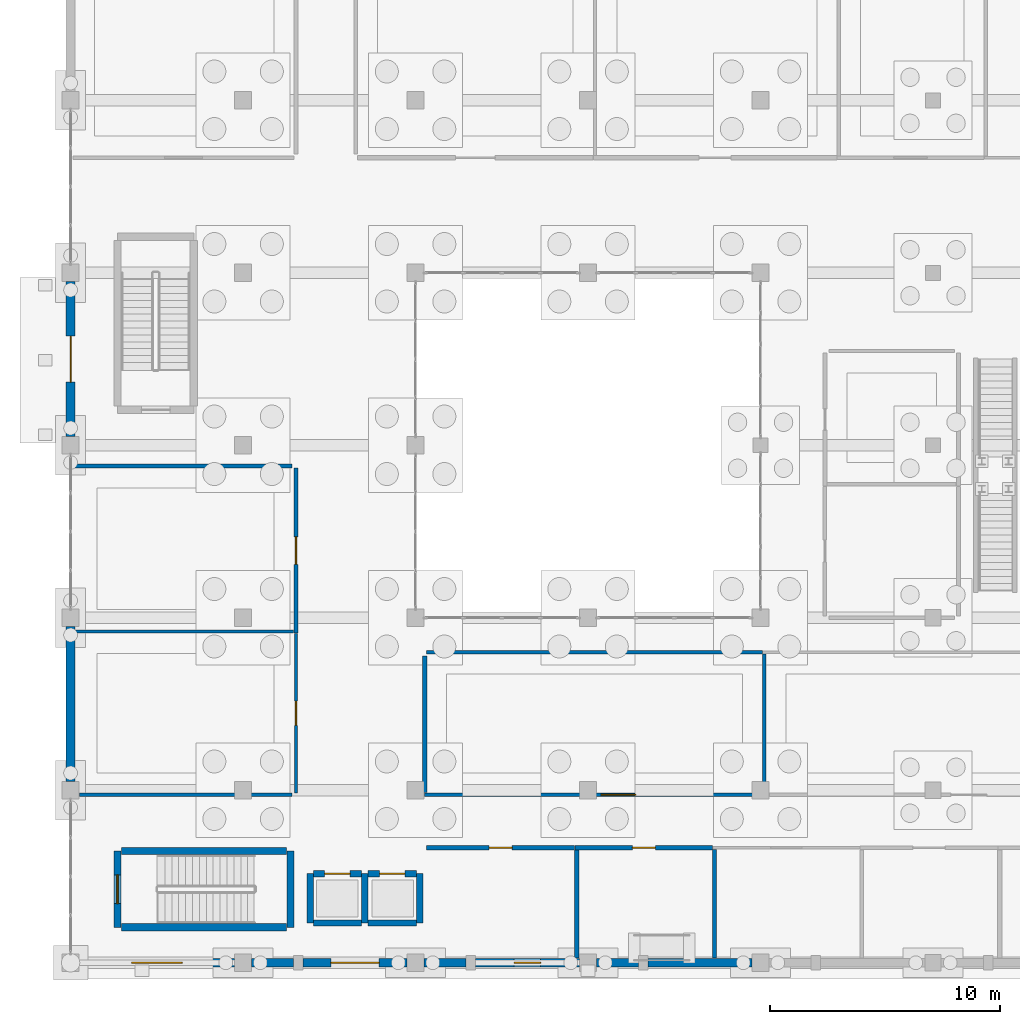
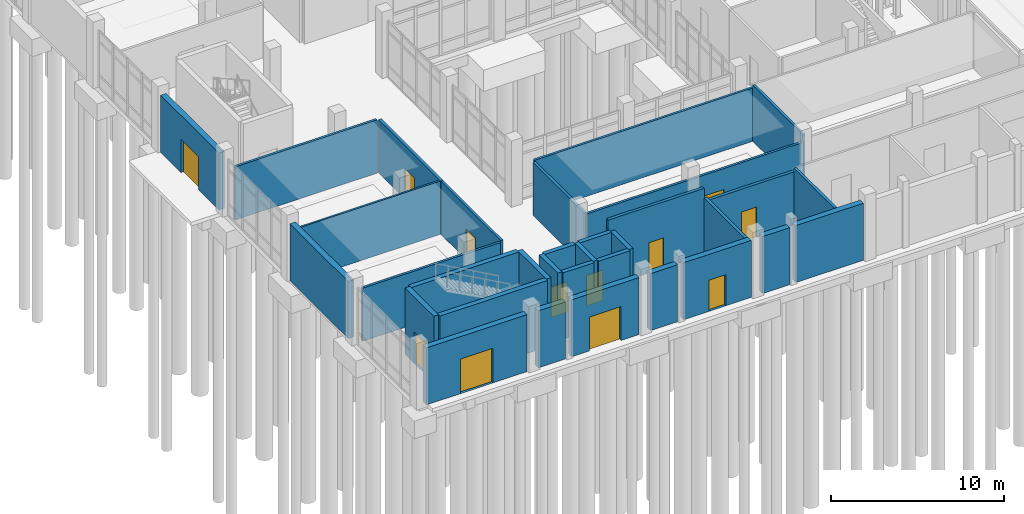
# One storey, part 147 of 173: 33 walls, 12 doors, 12 openings.
"""IFC4 building model written with IfcOpenShell, lengths in metres."""

from ifc_helpers import new_model, si_unit, direction, frame, frame_2d, origin, place, context, subcontext, project, spatial, rectangle, extrude, material, layer, layer_set, type_object, element, fill, save


model = new_model("IFC4")

# Units and contexts
model_context = context("Model", 3, precision=1e-05, world=origin(), true_north=direction((0.0, 1.0)))
body_context = subcontext(model_context, "Body", "Model", "MODEL_VIEW")
ifc_project = project(units=[si_unit("LENGTHUNIT", "METRE"), si_unit("AREAUNIT", "SQUARE_METRE"), si_unit("VOLUMEUNIT", "CUBIC_METRE"), si_unit("PLANEANGLEUNIT", "RADIAN"), si_unit("MASSUNIT", "GRAM", prefix="KILO")], contexts=[model_context])

# Site, building, storey
site_placement = place(None, origin())
site = spatial("IfcSite", under=ifc_project, at=site_placement, CompositionType="ELEMENT")
building_placement = place(site_placement, origin())
building = spatial("IfcBuilding", under=site, at=building_placement, Name="Mawjan Specialist Oncology Clinic", CompositionType="ELEMENT")
storey_placement = place(building_placement, origin())
storey = spatial("IfcBuildingStorey", under=building, at=storey_placement, Name="L00", CompositionType="ELEMENT", Elevation=0.0)

# Walls
ifc_material_1 = material(Name="Precast concrete C40/50", Category="concrete")
ifc_layer_1 = layer(ifc_material_1, 0.3798828125, Name="Precast concrete C40/50", Category="concrete")
ifc_layer_set_1 = layer_set([ifc_layer_1], Name="Precast concrete C40/50")
wall_type_1 = type_object("IfcWallType", Name="EW-380", PredefinedType="SOLIDWALL", material=ifc_layer_set_1)
wall_1_placement = place(storey_placement, frame((29.625, 0.800048828125, 0.0), z_axis=(0.0, 0.0, 1.0), x_axis=(-1.0, 0.0, 0.0)))
element("IfcWall", 1, at=wall_1_placement, inside=storey, type_object=wall_type_1, Name="L00 Coral-Limestone Exterior Wall EW-L00-005", PredefinedType="SOLIDWALL", context=body_context, shape_type="SweptSolid", body=[
    extrude(rectangle(XDim=4.52490234375, YDim=0.3798828125, at=frame_2d((2.262451171875, 0.0))), origin(), (0.0, 0.0, 1.0), 4.034912109375),
])
wall_2_placement = place(storey_placement, frame((24.699951171875, 0.800048828125, 0.0), z_axis=(0.0, 0.0, 1.0), x_axis=(-1.0, 0.0, 0.0)))
element("IfcWall", 2, at=wall_2_placement, inside=storey, type_object=wall_type_1, Name="L00 Coral-Limestone Exterior Wall EW-L00-006", PredefinedType="SOLIDWALL", context=body_context, shape_type="SweptSolid", body=[
    extrude(rectangle(XDim=1.824951171875, YDim=0.3798828125, at=frame_2d((0.91259765625, 0.0))), origin(), (0.0, 0.0, 1.0), 4.034912109375),
])

# Wall, opening, door
wall_3_placement = place(storey_placement, frame((22.125, 0.800048828125, 0.0), z_axis=(0.0, 0.0, 1.0), x_axis=(-1.0, 0.0, 0.0)))
wall_3 = element("IfcWall", 3, at=wall_3_placement, inside=storey, type_object=wall_type_1, Name="L00 Coral-Limestone Exterior Wall EW-L00-007", PredefinedType="SOLIDWALL", context=body_context, shape_type="SweptSolid", body=[
    extrude(rectangle(XDim=4.52490234375, YDim=0.3798828125, at=frame_2d((2.262451171875, 0.0))), origin(), (0.0, 0.0, 1.0), 4.034912109375),
])
opening_1_placement = place(wall_3_placement, frame((1.6875, 0.0, 0.0)))
opening_1 = element("IfcOpeningElement", 4, at=opening_1_placement, cuts=wall_3, Name="Opening DF-EXT", PredefinedType="OPENING", context=body_context, shape_type="SweptSolid", body=[
    extrude(rectangle(XDim=1.14990234375, YDim=2.199951171875, at=frame_2d((0.574951171875, 1.10009765625))), frame((0.0, 0.201904296875, 0.0), z_axis=(0.0, -1.0, 0.0), x_axis=(1.0, 0.0, 0.0)), (0.0, 0.0, 1.0), 0.40380859375),
])
ifc_material_2 = material(Name="Insulated marine-grade aluminium entrance assembly", Category="aluminium")
door_type_1 = type_object("IfcDoorType", Name="DF-EXT", OperationType="NOTDEFINED", PredefinedType="DOOR", material=ifc_material_2)
door_1_placement = place(opening_1_placement, origin())
door_1 = element("IfcDoor", 5, at=door_1_placement, inside=storey, type_object=door_type_1, Name="Fire Command Center Exterior Access Door", OperationType="SINGLE_SWING_RIGHT", OverallHeight=2.199951171875, OverallWidth=1.14990234375, PredefinedType="DOOR", context=body_context, shape_type="SweptSolid", body=[
    extrude(rectangle(XDim=1.14990234375, YDim=2.199951171875, at=frame_2d((0.574951171875, 1.10009765625))), frame((0.0, 0.02490234375, 0.0), z_axis=(0.0, -1.0, 0.0), x_axis=(1.0, 0.0, 0.0)), (0.0, 0.0, 1.0), 0.050048828125),
])
fill(opening_1, door_1)

# Wall
wall_4_placement = place(storey_placement, frame((17.199951171875, 0.800048828125, 0.0), z_axis=(0.0, 0.0, 1.0), x_axis=(-1.0, 0.0, 0.0)))
element("IfcWall", 6, at=wall_4_placement, inside=storey, type_object=wall_type_1, Name="L00 Coral-Limestone Exterior Wall EW-L00-008", PredefinedType="SOLIDWALL", context=body_context, shape_type="SweptSolid", body=[
    extrude(rectangle(XDim=1.824951171875, YDim=0.3798828125, at=frame_2d((0.91259765625, 0.0))), origin(), (0.0, 0.0, 1.0), 4.034912109375),
])

# Wall, opening, door
wall_5_placement = place(storey_placement, frame((14.625, 0.800048828125, 0.0), z_axis=(0.0, 0.0, 1.0), x_axis=(-1.0, 0.0, 0.0)))
wall_5 = element("IfcWall", 7, at=wall_5_placement, inside=storey, type_object=wall_type_1, Name="L00 Coral-Limestone Exterior Wall EW-L00-009", PredefinedType="SOLIDWALL", context=body_context, shape_type="SweptSolid", body=[
    extrude(rectangle(XDim=4.52490234375, YDim=0.3798828125, at=frame_2d((2.262451171875, 0.0))), origin(), (0.0, 0.0, 1.0), 4.034912109375),
])
opening_2_placement = place(wall_5_placement, frame((1.21240234375, 0.0, 0.0)))
opening_2 = element("IfcOpeningElement", 8, at=opening_2_placement, cuts=wall_5, Name="Opening DE-210", PredefinedType="OPENING", context=body_context, shape_type="SweptSolid", body=[
    extrude(rectangle(XDim=2.10009765625, YDim=2.39990234375, at=frame_2d((1.050048828125, 1.199951171875))), frame((0.0, 0.201904296875, 0.0), z_axis=(0.0, -1.0, 0.0), x_axis=(1.0, 0.0, 0.0)), (0.0, 0.0, 1.0), 0.40380859375),
])
ifc_material_3 = material(Name="Insulated marine-grade aluminium entrance assembly", Category="aluminium")
door_type_2 = type_object("IfcDoorType", Name="DE-210", OperationType="DOUBLE_DOOR_SINGLE_SWING", PredefinedType="DOOR", material=ifc_material_3)
door_2_placement = place(opening_2_placement, origin())
door_2 = element("IfcDoor", 9, at=door_2_placement, inside=storey, type_object=door_type_2, Name="Main Pedestrian Final Exit Door E-02", OperationType="DOUBLE_DOOR_SINGLE_SWING", OverallHeight=2.39990234375, OverallWidth=2.10009765625, PredefinedType="DOOR", context=body_context, shape_type="SweptSolid", body=[
    extrude(rectangle(XDim=2.10009765625, YDim=2.39990234375, at=frame_2d((1.050048828125, 1.199951171875))), frame((0.0, 0.02490234375, 0.0), z_axis=(0.0, -1.0, 0.0), x_axis=(1.0, 0.0, 0.0)), (0.0, 0.0, 1.0), 0.050048828125),
])
fill(opening_2, door_2)

# Wall
wall_6_placement = place(storey_placement, frame((9.699951171875, 0.800048828125, 0.0), z_axis=(0.0, 0.0, 1.0), x_axis=(-1.0, 0.0, 0.0)))
element("IfcWall", 10, at=wall_6_placement, inside=storey, type_object=wall_type_1, Name="L00 Coral-Limestone Exterior Wall EW-L00-010", PredefinedType="SOLIDWALL", context=body_context, shape_type="SweptSolid", body=[
    extrude(rectangle(XDim=1.824951171875, YDim=0.3798828125, at=frame_2d((0.91259765625, 0.0))), origin(), (0.0, 0.0, 1.0), 4.034912109375),
])

# Wall, opening, door
wall_7_placement = place(storey_placement, frame((7.125, 0.800048828125, 0.0), z_axis=(0.0, 0.0, 1.0), x_axis=(-1.0, 0.0, 0.0)))
wall_7 = element("IfcWall", 11, at=wall_7_placement, inside=storey, type_object=wall_type_1, Name="L00 Coral-Limestone Exterior Wall EW-L00-011", PredefinedType="SOLIDWALL", context=body_context, shape_type="SweptSolid", body=[
    extrude(rectangle(XDim=6.75, YDim=0.3798828125, at=frame_2d((3.375, 0.0))), origin(), (0.0, 0.0, 1.0), 4.034912109375),
])
opening_3_placement = place(wall_7_placement, frame((2.27490234375, 0.0, 0.0)))
opening_3 = element("IfcOpeningElement", 12, at=opening_3_placement, cuts=wall_7, Name="Opening DE-220", PredefinedType="OPENING", context=body_context, shape_type="SweptSolid", body=[
    extrude(rectangle(XDim=2.199951171875, YDim=2.449951171875, at=frame_2d((1.10009765625, 1.22509765625))), frame((0.0, 0.201904296875, 0.0), z_axis=(0.0, -1.0, 0.0), x_axis=(1.0, 0.0, 0.0)), (0.0, 0.0, 1.0), 0.40380859375),
])
ifc_material_4 = material(Name="Insulated marine-grade aluminium entrance assembly", Category="aluminium")
door_type_3 = type_object("IfcDoorType", Name="DE-220", OperationType="DOUBLE_DOOR_SINGLE_SWING", PredefinedType="DOOR", material=ifc_material_4)
door_3_placement = place(opening_3_placement, origin())
door_3 = element("IfcDoor", 13, at=door_3_placement, inside=storey, type_object=door_type_3, Name="Main Pedestrian Final Exit Door E-03", OperationType="DOUBLE_DOOR_SINGLE_SWING", OverallHeight=2.449951171875, OverallWidth=2.199951171875, PredefinedType="DOOR", context=body_context, shape_type="SweptSolid", body=[
    extrude(rectangle(XDim=2.199951171875, YDim=2.449951171875, at=frame_2d((1.10009765625, 1.22509765625))), frame((0.0, 0.02490234375, 0.0), z_axis=(0.0, -1.0, 0.0), x_axis=(1.0, 0.0, 0.0)), (0.0, 0.0, 1.0), 0.050048828125),
])
fill(opening_3, door_3)

# Wall
wall_8_placement = place(storey_placement, frame((0.0, 8.675048828125, 0.0), z_axis=(0.0, 0.0, 1.0), x_axis=(0.0, 1.0, 0.0)))
element("IfcWall", 14, at=wall_8_placement, inside=storey, type_object=wall_type_1, Name="L00 Coral-Limestone Exterior Wall EW-L00-012", PredefinedType="SOLIDWALL", context=body_context, shape_type="SweptSolid", body=[
    extrude(rectangle(XDim=6.75, YDim=0.3798828125, at=frame_2d((3.375, 0.0))), origin(), (0.0, 0.0, 1.0), 4.034912109375),
])

# Wall, opening, door
wall_9_placement = place(storey_placement, frame((0.0, 23.675048828125, 0.0), z_axis=(0.0, 0.0, 1.0), x_axis=(0.0, 1.0, 0.0)))
wall_9 = element("IfcWall", 15, at=wall_9_placement, inside=storey, type_object=wall_type_1, Name="L00 Coral-Limestone Exterior Wall EW-L00-013", PredefinedType="SOLIDWALL", context=body_context, shape_type="SweptSolid", body=[
    extrude(rectangle(XDim=6.75, YDim=0.3798828125, at=frame_2d((3.375, 0.0))), origin(), (0.0, 0.0, 1.0), 4.034912109375),
])
opening_4_placement = place(wall_9_placement, frame((2.375, 0.0, 0.0)))
opening_4 = element("IfcOpeningElement", 16, at=opening_4_placement, cuts=wall_9, Name="Opening DE-200", PredefinedType="OPENING", context=body_context, shape_type="SweptSolid", body=[
    extrude(rectangle(XDim=2.0, YDim=2.35009765625, at=frame_2d((1.0, 1.175048828125))), frame((0.0, 0.201904296875, 0.0), z_axis=(0.0, -1.0, 0.0), x_axis=(1.0, 0.0, 0.0)), (0.0, 0.0, 1.0), 0.40380859375),
])
ifc_material_5 = material(Name="Insulated marine-grade aluminium entrance assembly", Category="aluminium")
door_type_4 = type_object("IfcDoorType", Name="DE-200", OperationType="DOUBLE_DOOR_SINGLE_SWING", PredefinedType="DOOR", material=ifc_material_5)
door_4_placement = place(opening_4_placement, origin())
door_4 = element("IfcDoor", 17, at=door_4_placement, inside=storey, type_object=door_type_4, Name="Exit Stair ST-02 Final Exterior Discharge Door", OperationType="DOUBLE_DOOR_SINGLE_SWING", OverallHeight=2.35009765625, OverallWidth=2.0, PredefinedType="DOOR", context=body_context, shape_type="SweptSolid", body=[
    extrude(rectangle(XDim=2.0, YDim=2.35009765625, at=frame_2d((1.0, 1.175048828125))), frame((0.0, 0.02490234375, 0.0), z_axis=(0.0, -1.0, 0.0), x_axis=(1.0, 0.0, 0.0)), (0.0, 0.0, 1.0), 0.050048828125),
])
fill(opening_4, door_4)

# Walls
ifc_material_6 = material(Name="Concrete C45/55", Category="concrete")
ifc_layer_2 = layer(ifc_material_6, 0.280029296875, Name="Concrete C45/55", Category="concrete")
ifc_layer_set_2 = layer_set([ifc_layer_2], Name="Concrete C45/55")
wall_type_2 = type_object("IfcWallType", Name="SW-300", PredefinedType="SHEAR", material=ifc_layer_set_2)
wall_10_placement = place(storey_placement, frame((10.5615234375, 2.529296875, 0.0), z_axis=(0.0, 0.0, 1.0), x_axis=(1.0, 0.0, 0.0)))
element("IfcWall", 18, at=wall_10_placement, inside=storey, type_object=wall_type_2, Name="L00 LF-03 Hoistway Wall 1", PredefinedType="SHEAR", context=body_context, shape_type="SweptSolid", body=[
    extrude(rectangle(XDim=2.076904296875, YDim=0.280029296875, at=frame_2d((1.03857421875, 0.0))), origin(), (0.0, 0.0, 1.0), 4.699951171875),
])
wall_11_placement = place(storey_placement, frame((12.783447265625, 2.529296875, 0.0), z_axis=(0.0, 0.0, 1.0), x_axis=(0.0, 1.0, 0.0)))
element("IfcWall", 19, at=wall_11_placement, inside=storey, type_object=wall_type_2, Name="L00 LF-03 Hoistway Wall 2", PredefinedType="SHEAR", context=body_context, shape_type="SweptSolid", body=[
    extrude(rectangle(XDim=2.141357421875, YDim=0.280029296875, at=frame_2d((1.07080078125, 0.0))), origin(), (0.0, 0.0, 1.0), 4.699951171875),
])

# Wall, opening, door
wall_12_placement = place(storey_placement, frame((12.638427734375, 4.670654296875, 0.0), z_axis=(0.0, 0.0, 1.0), x_axis=(-1.0, 0.0, 0.0)))
wall_12 = element("IfcWall", 20, at=wall_12_placement, inside=storey, type_object=wall_type_2, Name="L00 LF-03 Hoistway Wall 3", PredefinedType="SHEAR", context=body_context, shape_type="SweptSolid", body=[
    extrude(rectangle(XDim=2.076904296875, YDim=0.280029296875, at=frame_2d((1.03857421875, 0.0))), origin(), (0.0, 0.0, 1.0), 4.699951171875),
])
opening_5_placement = place(wall_12_placement, frame((0.488525390625, 0.0, 0.0)))
opening_5 = element("IfcOpeningElement", 21, at=opening_5_placement, cuts=wall_12, Name="Opening LD-03-L00", PredefinedType="OPENING", context=body_context, shape_type="SweptSolid", body=[
    extrude(rectangle(XDim=1.10009765625, YDim=2.14990234375, at=frame_2d((0.550048828125, 1.074951171875))), frame((0.0, 0.152099609375, 0.0), z_axis=(0.0, -1.0, 0.0), x_axis=(1.0, 0.0, 0.0)), (0.0, 0.0, 1.0), 0.303955078125),
])
ifc_material_7 = material(Name="Stainless-steel fire-rated hospital door", Category="steel")
door_type_5 = type_object("IfcDoorType", Name="LD-110", OperationType="SLIDING_TO_RIGHT", PredefinedType="DOOR", material=ifc_material_7)
door_5_placement = place(opening_5_placement, origin())
door_5 = element("IfcDoor", 22, at=door_5_placement, inside=storey, type_object=door_type_5, Name="L00 LF-03 Sliding Lift Landing Door", OperationType="SLIDING_TO_LEFT", OverallHeight=2.14990234375, OverallWidth=1.10009765625, PredefinedType="DOOR", context=body_context, shape_type="SweptSolid", body=[
    extrude(rectangle(XDim=1.10009765625, YDim=2.14990234375, at=frame_2d((0.550048828125, 1.074951171875))), frame((0.0, 0.02490234375, 0.0), z_axis=(0.0, -1.0, 0.0), x_axis=(1.0, 0.0, 0.0)), (0.0, 0.0, 1.0), 0.050048828125),
])
fill(opening_5, door_5)

# Walls
wall_13_placement = place(storey_placement, frame((10.41650390625, 4.670654296875, 0.0), z_axis=(0.0, 0.0, 1.0), x_axis=(0.0, -1.0, 0.0)))
element("IfcWall", 23, at=wall_13_placement, inside=storey, type_object=wall_type_2, Name="L00 LF-03 Hoistway Wall 4", PredefinedType="SHEAR", context=body_context, shape_type="SweptSolid", body=[
    extrude(rectangle(XDim=2.141357421875, YDim=0.280029296875, at=frame_2d((1.07080078125, 0.0))), origin(), (0.0, 0.0, 1.0), 4.699951171875),
])
wall_14_placement = place(storey_placement, frame((12.928466796875, 2.529296875, 0.0), z_axis=(0.0, 0.0, 1.0), x_axis=(1.0, 0.0, 0.0)))
element("IfcWall", 24, at=wall_14_placement, inside=storey, type_object=wall_type_2, Name="L00 LF-04 Hoistway Wall 1", PredefinedType="SHEAR", context=body_context, shape_type="SweptSolid", body=[
    extrude(rectangle(XDim=2.110107421875, YDim=0.280029296875, at=frame_2d((1.05517578125, 0.0))), origin(), (0.0, 0.0, 1.0), 4.699951171875),
])
wall_15_placement = place(storey_placement, frame((15.18359375, 2.529296875, 0.0), z_axis=(0.0, 0.0, 1.0), x_axis=(0.0, 1.0, 0.0)))
element("IfcWall", 25, at=wall_15_placement, inside=storey, type_object=wall_type_2, Name="L00 LF-04 Hoistway Wall 2", PredefinedType="SHEAR", context=body_context, shape_type="SweptSolid", body=[
    extrude(rectangle(XDim=2.141357421875, YDim=0.280029296875, at=frame_2d((1.07080078125, 0.0))), origin(), (0.0, 0.0, 1.0), 4.699951171875),
])

# Wall, opening, door
wall_16_placement = place(storey_placement, frame((15.03857421875, 4.670654296875, 0.0), z_axis=(0.0, 0.0, 1.0), x_axis=(-1.0, 0.0, 0.0)))
wall_16 = element("IfcWall", 26, at=wall_16_placement, inside=storey, type_object=wall_type_2, Name="L00 LF-04 Hoistway Wall 3", PredefinedType="SHEAR", context=body_context, shape_type="SweptSolid", body=[
    extrude(rectangle(XDim=2.110107421875, YDim=0.280029296875, at=frame_2d((1.05517578125, 0.0))), origin(), (0.0, 0.0, 1.0), 4.699951171875),
])
opening_6_placement = place(wall_16_placement, frame((0.5048828125, 0.0, 0.0)))
opening_6 = element("IfcOpeningElement", 27, at=opening_6_placement, cuts=wall_16, Name="Opening LD-04-L00", PredefinedType="OPENING", context=body_context, shape_type="SweptSolid", body=[
    extrude(rectangle(XDim=1.10009765625, YDim=2.14990234375, at=frame_2d((0.550048828125, 1.074951171875))), frame((0.0, 0.152099609375, 0.0), z_axis=(0.0, -1.0, 0.0), x_axis=(1.0, 0.0, 0.0)), (0.0, 0.0, 1.0), 0.303955078125),
])
door_6_placement = place(opening_6_placement, origin())
door_6 = element("IfcDoor", 28, at=door_6_placement, inside=storey, type_object=door_type_5, Name="L00 LF-04 Sliding Lift Landing Door", OperationType="SLIDING_TO_RIGHT", OverallHeight=2.14990234375, OverallWidth=1.10009765625, PredefinedType="DOOR", context=body_context, shape_type="SweptSolid", body=[
    extrude(rectangle(XDim=1.10009765625, YDim=2.14990234375, at=frame_2d((0.550048828125, 1.074951171875))), frame((0.0, 0.02490234375, 0.0), z_axis=(0.0, -1.0, 0.0), x_axis=(1.0, 0.0, 0.0)), (0.0, 0.0, 1.0), 0.050048828125),
])
fill(opening_6, door_6)

# Walls
ifc_material_8 = material(Name="Concrete C45/55", Category="concrete")
ifc_layer_3 = layer(ifc_material_8, 0.320068359375, Name="Concrete C45/55", Category="concrete")
ifc_layer_set_3 = layer_set([ifc_layer_3], Name="Concrete C45/55")
wall_type_3 = type_object("IfcWallType", Name="SW-350", PredefinedType="SHEAR", material=ifc_layer_set_3)
wall_17_placement = place(storey_placement, frame((2.205078125, 2.340087890625, 0.0), z_axis=(0.0, 0.0, 1.0), x_axis=(1.0, 0.0, 0.0)))
element("IfcWall", 29, at=wall_17_placement, inside=storey, type_object=wall_type_3, Name="L00 Core K1 Stair Shear Wall 1", PredefinedType="SHEAR", context=body_context, shape_type="SweptSolid", body=[
    extrude(rectangle(XDim=7.18994140625, YDim=0.320068359375, at=frame_2d((3.594970703125, 0.0))), origin(), (0.0, 0.0, 1.0), 4.699951171875),
])
wall_18_placement = place(storey_placement, frame((9.56005859375, 2.340087890625, 0.0), z_axis=(0.0, 0.0, 1.0), x_axis=(0.0, 1.0, 0.0)))
element("IfcWall", 30, at=wall_18_placement, inside=storey, type_object=wall_type_3, Name="L00 Core K1 Stair Shear Wall 2", PredefinedType="SHEAR", context=body_context, shape_type="SweptSolid", body=[
    extrude(rectangle(XDim=3.31982421875, YDim=0.320068359375, at=frame_2d((1.659912109375, 0.0))), origin(), (0.0, 0.0, 1.0), 4.699951171875),
])
wall_19_placement = place(storey_placement, frame((9.39501953125, 5.659912109375, 0.0), z_axis=(0.0, 0.0, 1.0), x_axis=(-1.0, 0.0, 0.0)))
element("IfcWall", 31, at=wall_19_placement, inside=storey, type_object=wall_type_3, Name="L00 Core K1 Stair Shear Wall 3", PredefinedType="SHEAR", context=body_context, shape_type="SweptSolid", body=[
    extrude(rectangle(XDim=7.18994140625, YDim=0.320068359375, at=frame_2d((3.594970703125, 0.0))), origin(), (0.0, 0.0, 1.0), 4.699951171875),
])

# Wall, opening, door
wall_20_placement = place(storey_placement, frame((2.0400390625, 5.659912109375, 0.0), z_axis=(0.0, 0.0, 1.0), x_axis=(0.0, -1.0, 0.0)))
wall_20 = element("IfcWall", 32, at=wall_20_placement, inside=storey, type_object=wall_type_3, Name="L00 Core K1 Stair Shear Wall 4", PredefinedType="SHEAR", context=body_context, shape_type="SweptSolid", body=[
    extrude(rectangle(XDim=3.31982421875, YDim=0.320068359375, at=frame_2d((1.659912109375, 0.0))), origin(), (0.0, 0.0, 1.0), 4.699951171875),
])
opening_7_placement = place(wall_20_placement, frame((1.034912109375, 0.0, 0.0)))
opening_7 = element("IfcOpeningElement", 33, at=opening_7_placement, cuts=wall_20, Name="Opening FD-90W", PredefinedType="OPENING", context=body_context, shape_type="SweptSolid", body=[
    extrude(rectangle(XDim=1.25, YDim=2.199951171875, at=frame_2d((0.625, 1.10009765625))), frame((0.0, 0.172119140625, 0.0), z_axis=(0.0, -1.0, 0.0), x_axis=(1.0, 0.0, 0.0)), (0.0, 0.0, 1.0), 0.343994140625),
])
ifc_material_9 = material(Name="Stainless-steel fire-rated hospital door", Category="steel")
door_type_6 = type_object("IfcDoorType", Name="FD-90W", OperationType="NOTDEFINED", PredefinedType="DOOR", material=ifc_material_9)
door_7_placement = place(opening_7_placement, origin())
door_7 = element("IfcDoor", 34, at=door_7_placement, inside=storey, type_object=door_type_6, Name="L00 ST-01 Fire Exit Stair Door", OperationType="SINGLE_SWING_LEFT", OverallHeight=2.199951171875, OverallWidth=1.25, PredefinedType="DOOR", context=body_context, shape_type="SweptSolid", body=[
    extrude(rectangle(XDim=1.25, YDim=2.199951171875, at=frame_2d((0.625, 1.10009765625))), frame((0.0, 0.02490234375, 0.0), z_axis=(0.0, -1.0, 0.0), x_axis=(1.0, 0.0, 0.0)), (0.0, 0.0, 1.0), 0.050048828125),
])
fill(opening_7, door_7)

# Wall
ifc_material_10 = material(Name="Moisture-resistant washroom partition", Category="gypsum")
ifc_layer_4 = layer(ifc_material_10, 0.125, Name="Moisture-resistant washroom partition", Category="gypsum")
ifc_layer_set_4 = layer_set([ifc_layer_4], Name="Moisture-resistant washroom partition")
wall_type_4 = type_object("IfcWallType", Name="WP-125", PredefinedType="PARTITIONING", material=ifc_layer_set_4)
wall_21_placement = place(storey_placement, frame((0.201904296875, 15.199951171875, 0.0), z_axis=(0.0, 0.0, 1.0), x_axis=(1.0, 0.0, 0.0)))
element("IfcWall", 35, at=wall_21_placement, inside=storey, type_object=wall_type_4, Name="L00 Interior Partition W-INT-L00-0031-H", PredefinedType="PARTITIONING", context=body_context, shape_type="SweptSolid", body=[
    extrude(rectangle(XDim=9.49609375, YDim=0.125, at=frame_2d((4.748046875, 0.0))), origin(), (0.0, 0.0, 1.0), 3.764892578125),
])

# Wall, opening, door
ifc_material_11 = material(Name="Acoustic gypsum clinical partition", Category="gypsum")
ifc_layer_5 = layer(ifc_material_11, 0.14990234375, Name="Acoustic gypsum clinical partition", Category="gypsum")
ifc_layer_set_5 = layer_set([ifc_layer_5], Name="Acoustic gypsum clinical partition")
wall_type_5 = type_object("IfcWallType", Name="WP-150", PredefinedType="PARTITIONING", material=ifc_layer_set_5)
wall_22_placement = place(storey_placement, frame((9.800048828125, 8.18505859375, 0.0), z_axis=(0.0, 0.0, 1.0), x_axis=(0.0, 1.0, 0.0)))
wall_22 = element("IfcWall", 36, at=wall_22_placement, inside=storey, type_object=wall_type_5, Name="L00 Interior Partition W-INT-L00-0031-V", PredefinedType="PARTITIONING", context=body_context, shape_type="SweptSolid", body=[
    extrude(rectangle(XDim=6.929931640625, YDim=0.14990234375, at=frame_2d((3.46484375, 0.0))), origin(), (0.0, 0.0, 1.0), 3.764892578125),
])
opening_8_placement = place(wall_22_placement, frame((2.93994140625, 0.0, 0.0)))
opening_8 = element("IfcOpeningElement", 37, at=opening_8_placement, cuts=wall_22, Name="Opening DI-105", PredefinedType="OPENING", context=body_context, shape_type="SweptSolid", body=[
    extrude(rectangle(XDim=1.050048828125, YDim=2.14990234375, at=frame_2d((0.52490234375, 1.074951171875))), frame((0.0, 0.0869140625, 0.0), z_axis=(0.0, -1.0, 0.0), x_axis=(1.0, 0.0, 0.0)), (0.0, 0.0, 1.0), 0.173828125),
])
ifc_material_12 = material(Name="Acoustic laminate hospital door leaf", Category="wood")
door_type_7 = type_object("IfcDoorType", Name="DI-105", OperationType="NOTDEFINED", PredefinedType="DOOR", material=ifc_material_12)
door_8_placement = place(opening_8_placement, origin())
door_8 = element("IfcDoor", 38, at=door_8_placement, inside=storey, type_object=door_type_7, Name="L00 Outpatient Consultation Room Door", OperationType="SINGLE_SWING_LEFT", OverallHeight=2.14990234375, OverallWidth=1.050048828125, PredefinedType="DOOR", context=body_context, shape_type="SweptSolid", body=[
    extrude(rectangle(XDim=1.050048828125, YDim=2.14990234375, at=frame_2d((0.52490234375, 1.074951171875))), frame((0.0, 0.02490234375, 0.0), z_axis=(0.0, -1.0, 0.0), x_axis=(1.0, 0.0, 0.0)), (0.0, 0.0, 1.0), 0.050048828125),
])
fill(opening_8, door_8)

# Wall
wall_23_placement = place(storey_placement, frame((15.485107421875, 14.300048828125, 0.0), z_axis=(0.0, 0.0, 1.0), x_axis=(1.0, 0.0, 0.0)))
element("IfcWall", 39, at=wall_23_placement, inside=storey, type_object=wall_type_5, Name="L00 Interior Partition W-INT-L00-0021-R", PredefinedType="PARTITIONING", context=body_context, shape_type="SweptSolid", body=[
    extrude(rectangle(XDim=14.58984375, YDim=0.14990234375, at=frame_2d((7.294921875, 0.0))), origin(), (0.0, 0.0, 1.0), 3.764892578125),
])

# Wall, opening, door
ifc_material_13 = material(Name="Acoustic clinical twin-stud partition", Category="gypsum")
ifc_layer_6 = layer(ifc_material_13, 0.159912109375, Name="Acoustic clinical twin-stud partition", Category="gypsum")
ifc_layer_set_6 = layer_set([ifc_layer_6], Name="Acoustic clinical twin-stud partition")
wall_type_6 = type_object("IfcWallType", Name="WP-160", PredefinedType="PARTITIONING", material=ifc_layer_set_6)
wall_24_placement = place(storey_placement, frame((15.386962890625, 8.10009765625, 0.0), z_axis=(0.0, 0.0, 1.0), x_axis=(1.0, 0.0, 0.0)))
wall_24 = element("IfcWall", 40, at=wall_24_placement, inside=storey, type_object=wall_type_6, Name="L00 Interior Partition W-INT-L00-0021-C", PredefinedType="PARTITIONING", context=body_context, shape_type="SweptSolid", body=[
    extrude(rectangle(XDim=14.52099609375, YDim=0.159912109375, at=frame_2d((7.260498046875, 0.0))), origin(), (0.0, 0.0, 1.0), 3.764892578125),
])
opening_9_placement = place(wall_24_placement, frame((7.682373046875, 0.0, 0.0)))
opening_9 = element("IfcOpeningElement", 41, at=opening_9_placement, cuts=wall_24, Name="Opening DC-150", PredefinedType="OPENING", context=body_context, shape_type="SweptSolid", body=[
    extrude(rectangle(XDim=1.5, YDim=2.280029296875, at=frame_2d((0.75, 1.14013671875))), frame((0.0, 0.092041015625, 0.0), z_axis=(0.0, -1.0, 0.0), x_axis=(1.0, 0.0, 0.0)), (0.0, 0.0, 1.0), 0.183837890625),
])
ifc_material_14 = material(Name="Acoustic laminate hospital door leaf", Category="wood")
door_type_8 = type_object("IfcDoorType", Name="DC-150", OperationType="NOTDEFINED", PredefinedType="DOOR", material=ifc_material_14)
door_9_placement = place(opening_9_placement, origin())
door_9 = element("IfcDoor", 42, at=door_9_placement, inside=storey, type_object=door_type_8, Name="L00 Specialist Diagnostic Exam Room Door", OperationType="SINGLE_SWING_LEFT", OverallHeight=2.280029296875, OverallWidth=1.5, PredefinedType="DOOR", context=body_context, shape_type="SweptSolid", body=[
    extrude(rectangle(XDim=1.5, YDim=2.280029296875, at=frame_2d((0.75, 1.14013671875))), frame((0.0, 0.02490234375, 0.0), z_axis=(0.0, -1.0, 0.0), x_axis=(1.0, 0.0, 0.0)), (0.0, 0.0, 1.0), 0.050048828125),
])
fill(opening_9, door_9)

# Walls
wall_25_placement = place(storey_placement, frame((30.159912109375, 8.431884765625, 0.0), z_axis=(0.0, 0.0, 1.0), x_axis=(0.0, 1.0, 0.0)))
element("IfcWall", 43, at=wall_25_placement, inside=storey, type_object=wall_type_6, Name="L00 Interior Partition W-INT-L00-0021-D", PredefinedType="PARTITIONING", context=body_context, shape_type="SweptSolid", body=[
    extrude(rectangle(XDim=5.793701171875, YDim=0.159912109375, at=frame_2d((2.89697265625, 0.0))), origin(), (0.0, 0.0, 1.0), 3.985107421875),
])
wall_26_placement = place(storey_placement, frame((0.386962890625, 8.10009765625, 0.0), z_axis=(0.0, 0.0, 1.0), x_axis=(1.0, 0.0, 0.0)))
element("IfcWall", 44, at=wall_26_placement, inside=storey, type_object=wall_type_6, Name="L00 Interior Partition W-INT-L00-0031-H0", PredefinedType="PARTITIONING", context=body_context, shape_type="SweptSolid", body=[
    extrude(rectangle(XDim=9.248046875, YDim=0.159912109375, at=frame_2d((4.6240234375, 0.0))), origin(), (0.0, 0.0, 1.0), 3.764892578125),
])
wall_27_placement = place(storey_placement, frame((0.10205078125, 22.39990234375, 0.0), z_axis=(0.0, 0.0, 1.0), x_axis=(1.0, 0.0, 0.0)))
element("IfcWall", 45, at=wall_27_placement, inside=storey, type_object=wall_type_6, Name="L00 Interior Partition W-INT-L00-0032-H", PredefinedType="PARTITIONING", context=body_context, shape_type="SweptSolid", body=[
    extrude(rectangle(XDim=9.532958984375, YDim=0.159912109375, at=frame_2d((4.7666015625, 0.0))), origin(), (0.0, 0.0, 1.0), 3.764892578125),
])

# Wall, opening, door
ifc_material_15 = material(Name="Lead-lined radiation-shielded clinical partition", Category="gypsum")
ifc_layer_7 = layer(ifc_material_15, 0.179931640625, Name="Lead-lined radiation-shielded clinical partition", Category="gypsum")
ifc_layer_set_7 = layer_set([ifc_layer_7], Name="Lead-lined radiation-shielded clinical partition")
wall_type_7 = type_object("IfcWallType", Name="WP-180", PredefinedType="PARTITIONING", material=ifc_layer_set_7)
wall_28_placement = place(storey_placement, frame((9.800048828125, 15.126953125, 0.0), z_axis=(0.0, 0.0, 1.0), x_axis=(0.0, 1.0, 0.0)))
wall_28 = element("IfcWall", 46, at=wall_28_placement, inside=storey, type_object=wall_type_7, Name="L00 Interior Partition W-INT-L00-0032-V", PredefinedType="PARTITIONING", context=body_context, shape_type="SweptSolid", body=[
    extrude(rectangle(XDim=7.18798828125, YDim=0.179931640625, at=frame_2d((3.593994140625, 0.0))), origin(), (0.0, 0.0, 1.0), 3.764892578125),
])
opening_10_placement = place(wall_28_placement, frame((2.993896484375, 0.0, 0.0)))
opening_10 = element("IfcOpeningElement", 47, at=opening_10_placement, cuts=wall_28, Name="Opening DC-120", PredefinedType="OPENING", context=body_context, shape_type="SweptSolid", body=[
    extrude(rectangle(XDim=1.199951171875, YDim=2.14990234375, at=frame_2d((0.60009765625, 1.074951171875))), frame((0.0, 0.10205078125, 0.0), z_axis=(0.0, -1.0, 0.0), x_axis=(1.0, 0.0, 0.0)), (0.0, 0.0, 1.0), 0.203857421875),
])
ifc_material_16 = material(Name="Acoustic laminate hospital door leaf", Category="wood")
door_type_9 = type_object("IfcDoorType", Name="DC-120", OperationType="NOTDEFINED", PredefinedType="DOOR", material=ifc_material_16)
door_10_placement = place(opening_10_placement, origin())
door_10 = element("IfcDoor", 48, at=door_10_placement, inside=storey, type_object=door_type_9, Name="L00 Clinical Assessment Suite Door", OperationType="SINGLE_SWING_RIGHT", OverallHeight=2.14990234375, OverallWidth=1.199951171875, PredefinedType="DOOR", context=body_context, shape_type="SweptSolid", body=[
    extrude(rectangle(XDim=1.199951171875, YDim=2.14990234375, at=frame_2d((0.60009765625, 1.074951171875))), frame((0.0, 0.02490234375, 0.0), z_axis=(0.0, -1.0, 0.0), x_axis=(1.0, 0.0, 0.0)), (0.0, 0.0, 1.0), 0.050048828125),
])
fill(opening_10, door_10)

# Walls
wall_29_placement = place(storey_placement, frame((28.0, 1.001953125, 0.0), z_axis=(0.0, 0.0, 1.0), x_axis=(0.0, 1.0, 0.0)))
element("IfcWall", 49, at=wall_29_placement, inside=storey, type_object=wall_type_7, Name="L00 Interior Partition W-INT-L00-002-D", PredefinedType="PARTITIONING", context=body_context, shape_type="SweptSolid", body=[
    extrude(rectangle(XDim=4.7236328125, YDim=0.179931640625, at=frame_2d((2.36181640625, 0.0))), origin(), (0.0, 0.0, 1.0), 4.034912109375),
])
wall_30_placement = place(storey_placement, frame((15.39990234375, 8.19189453125, 0.0), z_axis=(0.0, 0.0, 1.0), x_axis=(0.0, 1.0, 0.0)))
element("IfcWall", 50, at=wall_30_placement, inside=storey, type_object=wall_type_7, Name="L00 Interior Partition W-INT-L00-0021-D0", PredefinedType="PARTITIONING", context=body_context, shape_type="SweptSolid", body=[
    extrude(rectangle(XDim=5.943115234375, YDim=0.179931640625, at=frame_2d((2.9716796875, 0.0))), origin(), (0.0, 0.0, 1.0), 3.764892578125),
])

# Wall, opening, door
ifc_material_17 = material(Name="Insulated fire-rated gypsum stud partition", Category="gypsum")
ifc_layer_8 = layer(ifc_material_17, 0.199951171875, Name="Insulated fire-rated gypsum stud partition", Category="gypsum")
ifc_layer_set_8 = layer_set([ifc_layer_8], Name="Insulated fire-rated gypsum stud partition")
wall_type_8 = type_object("IfcWallType", Name="WS-60", PredefinedType="PARTITIONING", material=ifc_layer_set_8)
wall_31_placement = place(storey_placement, frame((15.485107421875, 5.800048828125, 0.0), z_axis=(0.0, 0.0, 1.0), x_axis=(1.0, 0.0, 0.0)))
wall_31 = element("IfcWall", 51, at=wall_31_placement, inside=storey, type_object=wall_type_8, Name="L00 Interior Partition W-INT-L00-001-C", PredefinedType="PARTITIONING", context=body_context, shape_type="SweptSolid", body=[
    extrude(rectangle(XDim=6.429931640625, YDim=0.199951171875, at=frame_2d((3.21484375, 0.0))), origin(), (0.0, 0.0, 1.0), 4.699951171875),
])
opening_11_placement = place(wall_31_placement, frame((2.715087890625, 0.0, 0.0)))
opening_11 = element("IfcOpeningElement", 52, at=opening_11_placement, cuts=wall_31, Name="Opening DF-100", PredefinedType="OPENING", context=body_context, shape_type="SweptSolid", body=[
    extrude(rectangle(XDim=1.0, YDim=2.14990234375, at=frame_2d((0.5, 1.074951171875))), frame((0.0, 0.112060546875, 0.0), z_axis=(0.0, -1.0, 0.0), x_axis=(1.0, 0.0, 0.0)), (0.0, 0.0, 1.0), 0.223876953125),
])
ifc_material_18 = material(Name="Stainless-steel fire-rated hospital door", Category="steel")
door_type_10 = type_object("IfcDoorType", Name="DF-100", OperationType="NOTDEFINED", PredefinedType="DOOR", material=ifc_material_18)
door_11_placement = place(opening_11_placement, origin())
door_11 = element("IfcDoor", 53, at=door_11_placement, inside=storey, type_object=door_type_10, Name="L00 Fire Command Center Door", OperationType="SINGLE_SWING_LEFT", OverallHeight=2.14990234375, OverallWidth=1.0, PredefinedType="DOOR", context=body_context, shape_type="SweptSolid", body=[
    extrude(rectangle(XDim=1.0, YDim=2.14990234375, at=frame_2d((0.5, 1.074951171875))), frame((0.0, 0.02490234375, 0.0), z_axis=(0.0, -1.0, 0.0), x_axis=(1.0, 0.0, 0.0)), (0.0, 0.0, 1.0), 0.050048828125),
])
fill(opening_11, door_11)

wall_32_placement = place(storey_placement, frame((21.927001953125, 5.800048828125, 0.0), z_axis=(0.0, 0.0, 1.0), x_axis=(1.0, 0.0, 0.0)))
wall_32 = element("IfcWall", 54, at=wall_32_placement, inside=storey, type_object=wall_type_8, Name="L00 Interior Partition W-INT-L00-002-C", PredefinedType="PARTITIONING", context=body_context, shape_type="SweptSolid", body=[
    extrude(rectangle(XDim=5.988037109375, YDim=0.199951171875, at=frame_2d((2.994140625, 0.0))), origin(), (0.0, 0.0, 1.0), 3.764892578125),
])
opening_12_placement = place(wall_32_placement, frame((2.493896484375, 0.0, 0.0)))
opening_12 = element("IfcOpeningElement", 55, at=opening_12_placement, cuts=wall_32, Name="Opening DF-100", PredefinedType="OPENING", context=body_context, shape_type="SweptSolid", body=[
    extrude(rectangle(XDim=1.0, YDim=2.14990234375, at=frame_2d((0.5, 1.074951171875))), frame((0.0, 0.112060546875, 0.0), z_axis=(0.0, -1.0, 0.0), x_axis=(1.0, 0.0, 0.0)), (0.0, 0.0, 1.0), 0.223876953125),
])
door_12_placement = place(opening_12_placement, origin())
door_12 = element("IfcDoor", 56, at=door_12_placement, inside=storey, type_object=door_type_10, Name="L00 Main Arrival Lobby Door", OperationType="SINGLE_SWING_RIGHT", OverallHeight=2.14990234375, OverallWidth=1.0, PredefinedType="DOOR", context=body_context, shape_type="SweptSolid", body=[
    extrude(rectangle(XDim=1.0, YDim=2.14990234375, at=frame_2d((0.5, 1.074951171875))), frame((0.0, 0.02490234375, 0.0), z_axis=(0.0, -1.0, 0.0), x_axis=(1.0, 0.0, 0.0)), (0.0, 0.0, 1.0), 0.050048828125),
])
fill(opening_12, door_12)

# Wall
wall_33_placement = place(storey_placement, frame((22.0, 1.001953125, 0.0), z_axis=(0.0, 0.0, 1.0), x_axis=(0.0, 1.0, 0.0)))
element("IfcWall", 57, at=wall_33_placement, inside=storey, type_object=wall_type_8, Name="L00 Interior Partition W-INT-L00-001-D", PredefinedType="PARTITIONING", context=body_context, shape_type="SweptSolid", body=[
    extrude(rectangle(XDim=4.7109375, YDim=0.199951171875, at=frame_2d((2.35546875, 0.0))), origin(), (0.0, 0.0, 1.0), 4.034912109375),
])

save(model, "model.ifc")
